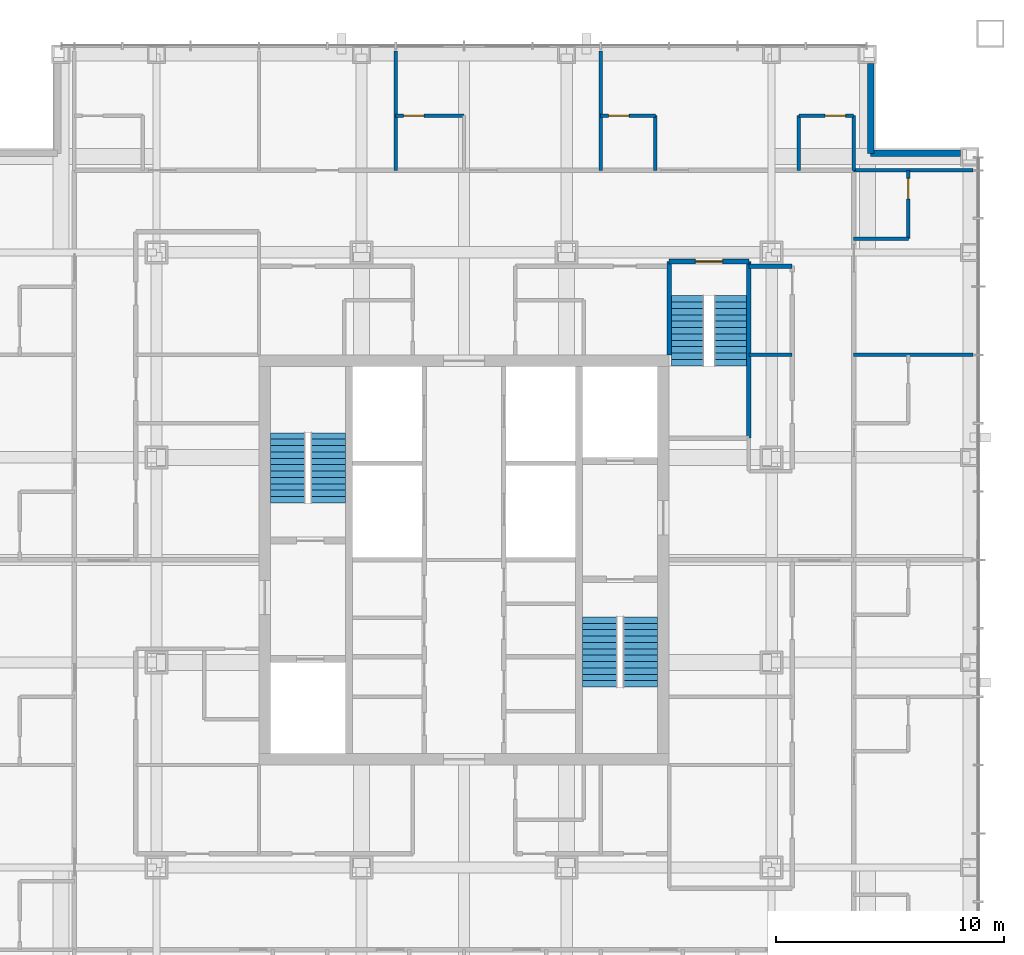
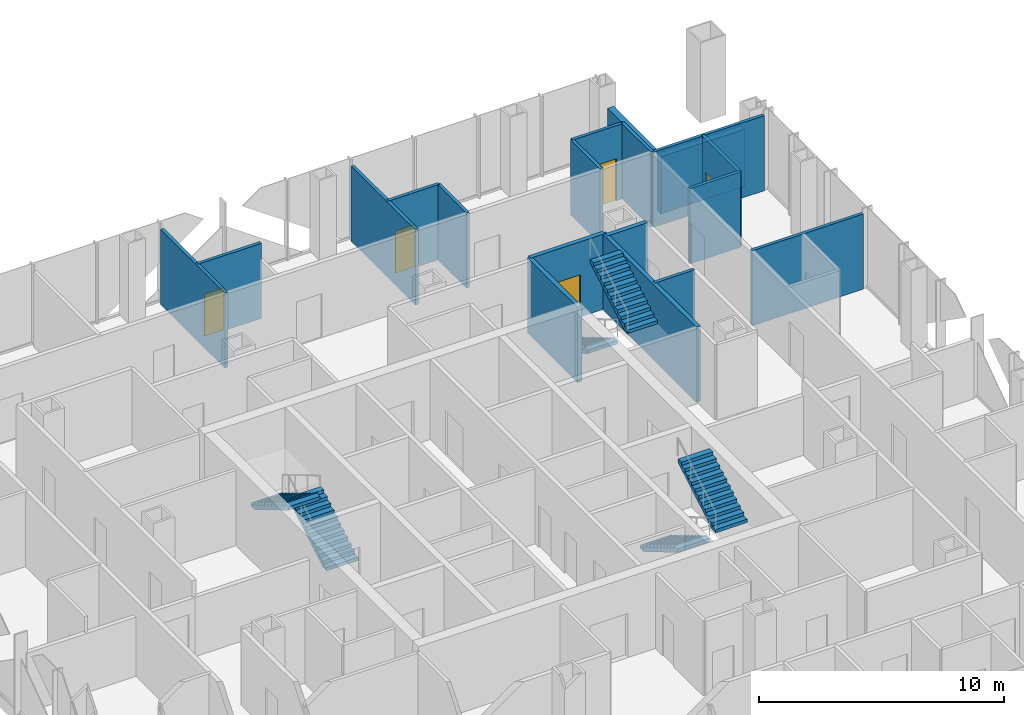
# One storey, part 16 of 17: 19 walls, 6 stair flights, 5 doors, 5 openings, 3 elements without a shape of their own.
"""IFC4 building model written with IfcOpenShell, lengths in metres."""

from ifc_helpers import new_model, si_unit, direction, frame, frame_2d, origin, place, context, subcontext, project, spatial, polyline, rectangle, outline, extrude, material, layer, layer_set, type_object, element, fill, aggregate, save


model = new_model("IFC4")

# Units and contexts
model_context = context("Model", 3, precision=1e-05, world=origin(), true_north=direction((0.0, 1.0)))
body_context = subcontext(model_context, "Body", "Model", "MODEL_VIEW")
ifc_project = project(units=[si_unit("LENGTHUNIT", "METRE"), si_unit("AREAUNIT", "SQUARE_METRE"), si_unit("VOLUMEUNIT", "CUBIC_METRE"), si_unit("PLANEANGLEUNIT", "RADIAN"), si_unit("MASSUNIT", "GRAM", prefix="KILO")], contexts=[model_context])

# Site, building, storey
site_placement = place(None, origin())
site = spatial("IfcSite", under=ifc_project, at=site_placement, CompositionType="ELEMENT")
building_placement = place(site_placement, origin())
building = spatial("IfcBuilding", under=site, at=building_placement, Name="Malebo Sky Hospital", CompositionType="ELEMENT")
storey_placement = place(building_placement, frame((0.0, 0.0, 189.0)))
storey = spatial("IfcBuildingStorey", under=building, at=storey_placement, Name="L45", CompositionType="ELEMENT", Elevation=189.0)

# Walls
ifc_material_1 = material(Name="Gypsum board on steel studs", Category="steel")
ifc_layer_1 = layer(ifc_material_1, 0.199951171875)
ifc_layer_set_1 = layer_set([ifc_layer_1], Name="CORRIDOR WALL 200")
wall_type_1 = type_object("IfcWallType", Name="CORRIDOR WALL 200", PredefinedType="PARTITIONING", material=ifc_layer_set_1)
wall_1_placement = place(storey_placement, frame((72.5, 74.89990234375, 0.0), z_axis=(0.0, 0.0, 1.0), x_axis=(1.0, 0.0, 0.0)))
element("IfcWall", 1, at=wall_1_placement, inside=storey, type_object=wall_type_1, Name="Corridor Wall 200 NCI2/2", PredefinedType="PARTITIONING", context=body_context, shape_type="SweptSolid", body=[
    extrude(rectangle(XDim=1.89990234375, YDim=0.199951171875, at=frame_2d((0.949951171875, 0.0))), origin(), (0.0, 0.0, 1.0), 3.75),
])
ifc_material_2 = material(Name="Anodised aluminium rainscreen on steel framing", Category="steel")
ifc_layer_2 = layer(ifc_material_2, 0.300048828125)
ifc_layer_set_2 = layer_set([ifc_layer_2], Name="NOTCH RAINSCREEN WALL 300")
wall_type_2 = type_object("IfcWallType", Name="NOTCH RAINSCREEN WALL 300", PredefinedType="ELEMENTEDWALL", material=ifc_layer_set_2)
for number, where, z_axis, x_axis, name in (
    (2, (77.85009765625, 83.800048828125, 0.0), (0.0, 0.0, 1.0), (0.0, -1.0, 0.0), "Notch rainscreen wall N1 L45"),
    (3, (77.85009765625, 79.85009765625, 0.0), (0.0, 0.0, 1.0), (1.0, 0.0, 0.0), "Notch rainscreen wall N2 L45"),
):
    element("IfcWall", number, at=place(storey_placement, frame(where, z_axis=z_axis, x_axis=x_axis)), inside=storey, type_object=wall_type_2, Name=name, PredefinedType="ELEMENTEDWALL", context=body_context, shape_type="SweptSolid", body=[
        extrude(rectangle(XDim=3.949951171875, YDim=0.300048828125, at=frame_2d((1.97509765625, 0.0))), origin(), (0.0, 0.0, 1.0), 2.85009765625),
    ])
ifc_layer_3 = layer(ifc_material_1, 0.14990234375)
ifc_layer_set_3 = layer_set([ifc_layer_3], Name="PARTITION 150")
wall_type_3 = type_object("IfcWallType", Name="PARTITION 150", PredefinedType="PARTITIONING", material=ifc_layer_set_3)
for number, where, z_axis, x_axis, name in (
    (4, (57.0, 79.10009765625, 0.0), (0.0, 0.0, 1.0), (0.0, 1.0, 0.0), "Partition 150 NP-3.0"),
    (5, (66.0, 79.10009765625, 0.0), (0.0, 0.0, 1.0), (0.0, 1.0, 0.0), "Partition 150 NP+6.0"),
):
    element("IfcWall", number, at=place(storey_placement, frame(where, z_axis=z_axis, x_axis=x_axis)), inside=storey, type_object=wall_type_3, Name=name, PredefinedType="PARTITIONING", context=body_context, shape_type="SweptSolid", body=[
        extrude(rectangle(XDim=5.25, YDim=0.14990234375, at=frame_2d((2.625, 0.0))), origin(), (0.0, 0.0, 1.0), 3.75),
    ])

# Wall, opening, door
wall_2_placement = place(storey_placement, frame((57.0, 81.5, 0.0), z_axis=(0.0, 0.0, 1.0), x_axis=(1.0, 0.0, 0.0)))
wall_2 = element("IfcWall", 6, at=wall_2_placement, inside=storey, type_object=wall_type_3, Name="Partition 150 NE2F", PredefinedType="PARTITIONING", context=body_context, shape_type="SweptSolid", body=[
    extrude(rectangle(XDim=3.0, YDim=0.14990234375, at=frame_2d((1.5, 0.0))), origin(), (0.0, 0.0, 1.0), 3.75),
])
opening_1_placement = place(wall_2_placement, frame((0.35009765625, 0.0, 0.0)))
opening_1 = element("IfcOpeningElement", 7, at=opening_1_placement, cuts=wall_2, Name="Opening D02", PredefinedType="OPENING", context=body_context, shape_type="SweptSolid", body=[
    extrude(rectangle(XDim=0.89990234375, YDim=2.10009765625, at=frame_2d((0.449951171875, 1.050048828125))), frame((0.0, 0.0849609375, 0.0), z_axis=(0.0, -1.0, 0.0), x_axis=(1.0, 0.0, 0.0)), (0.0, 0.0, 1.0), 0.169921875),
])
ifc_material_3 = material(Name="Hardwood-faced door leaf in steel frame", Category="steel")
door_type_1 = type_object("IfcDoorType", Name="EN-SUITE DOOR 900", OperationType="SINGLE_SWING_LEFT", PredefinedType="DOOR", material=ifc_material_3)
door_1_placement = place(opening_1_placement, origin())
door_1 = element("IfcDoor", 8, at=door_1_placement, inside=storey, type_object=door_type_1, Name="En-suite door", OperationType="SINGLE_SWING_LEFT", OverallHeight=2.10009765625, OverallWidth=0.89990234375, PredefinedType="DOOR", context=body_context, shape_type="SweptSolid", body=[
    extrude(rectangle(XDim=0.89990234375, YDim=2.10009765625, at=frame_2d((0.449951171875, 1.050048828125))), frame((0.0, 0.02490234375, 0.0), z_axis=(0.0, -1.0, 0.0), x_axis=(1.0, 0.0, 0.0)), (0.0, 0.0, 1.0), 0.050048828125),
])
fill(opening_1, door_1)

wall_3_placement = place(storey_placement, frame((66.0, 81.5, 0.0), z_axis=(0.0, 0.0, 1.0), x_axis=(1.0, 0.0, 0.0)))
wall_3 = element("IfcWall", 9, at=wall_3_placement, inside=storey, type_object=wall_type_3, Name="Partition 150 NE3F", PredefinedType="PARTITIONING", context=body_context, shape_type="SweptSolid", body=[
    extrude(rectangle(XDim=2.39990234375, YDim=0.14990234375, at=frame_2d((1.199951171875, 0.0))), origin(), (0.0, 0.0, 1.0), 3.75),
])
opening_2_placement = place(wall_3_placement, frame((0.35009765625, 0.0, 0.0)))
opening_2 = element("IfcOpeningElement", 10, at=opening_2_placement, cuts=wall_3, Name="Opening D02", PredefinedType="OPENING", context=body_context, shape_type="SweptSolid", body=[
    extrude(rectangle(XDim=0.89990234375, YDim=2.10009765625, at=frame_2d((0.449951171875, 1.050048828125))), frame((0.0, 0.0849609375, 0.0), z_axis=(0.0, -1.0, 0.0), x_axis=(1.0, 0.0, 0.0)), (0.0, 0.0, 1.0), 0.169921875),
])
door_2_placement = place(opening_2_placement, origin())
door_2 = element("IfcDoor", 11, at=door_2_placement, inside=storey, type_object=door_type_1, Name="En-suite door", OperationType="SINGLE_SWING_LEFT", OverallHeight=2.10009765625, OverallWidth=0.89990234375, PredefinedType="DOOR", context=body_context, shape_type="SweptSolid", body=[
    extrude(rectangle(XDim=0.89990234375, YDim=2.10009765625, at=frame_2d((0.449951171875, 1.050048828125))), frame((0.0, 0.02490234375, 0.0), z_axis=(0.0, -1.0, 0.0), x_axis=(1.0, 0.0, 0.0)), (0.0, 0.0, 1.0), 0.050048828125),
])
fill(opening_2, door_2)

# Wall
wall_4_placement = place(storey_placement, frame((68.39990234375, 79.10009765625, 0.0), z_axis=(0.0, 0.0, 1.0), x_axis=(0.0, 1.0, 0.0)))
element("IfcWall", 12, at=wall_4_placement, inside=storey, type_object=wall_type_3, Name="Partition 150 NE3S", PredefinedType="PARTITIONING", context=body_context, shape_type="SweptSolid", body=[
    extrude(rectangle(XDim=2.39990234375, YDim=0.14990234375, at=frame_2d((1.199951171875, 0.0))), origin(), (0.0, 0.0, 1.0), 3.75),
])

# Wall, opening, door
wall_5_placement = place(storey_placement, frame((74.699951171875, 81.5, 0.0), z_axis=(0.0, 0.0, 1.0), x_axis=(1.0, 0.0, 0.0)))
wall_5 = element("IfcWall", 13, at=wall_5_placement, inside=storey, type_object=wall_type_3, Name="Partition 150 NG3F", PredefinedType="PARTITIONING", context=body_context, shape_type="SweptSolid", body=[
    extrude(rectangle(XDim=2.400146484375, YDim=0.14990234375, at=frame_2d((1.2001953125, 0.0))), origin(), (0.0, 0.0, 1.0), 3.75),
])
opening_3_placement = place(wall_5_placement, frame((1.14990234375, 0.0, 0.0)))
opening_3 = element("IfcOpeningElement", 14, at=opening_3_placement, cuts=wall_5, Name="Opening D02", PredefinedType="OPENING", context=body_context, shape_type="SweptSolid", body=[
    extrude(rectangle(XDim=0.89990234375, YDim=2.10009765625, at=frame_2d((0.449951171875, 1.050048828125))), frame((0.0, 0.0849609375, 0.0), z_axis=(0.0, -1.0, 0.0), x_axis=(1.0, 0.0, 0.0)), (0.0, 0.0, 1.0), 0.169921875),
])
door_3_placement = place(opening_3_placement, origin())
door_3 = element("IfcDoor", 15, at=door_3_placement, inside=storey, type_object=door_type_1, Name="En-suite door", OperationType="SINGLE_SWING_RIGHT", OverallHeight=2.10009765625, OverallWidth=0.89990234375, PredefinedType="DOOR", context=body_context, shape_type="SweptSolid", body=[
    extrude(rectangle(XDim=0.89990234375, YDim=2.10009765625, at=frame_2d((0.449951171875, 1.050048828125))), frame((0.0, 0.02490234375, 0.0), z_axis=(0.0, -1.0, 0.0), x_axis=(1.0, 0.0, 0.0)), (0.0, 0.0, 1.0), 0.050048828125),
])
fill(opening_3, door_3)

# Walls
for number, where, z_axis, x_axis, name in (
    (16, (74.699951171875, 79.10009765625, 0.0), (0.0, 0.0, 1.0), (0.0, 1.0, 0.0), "Partition 150 NG3S"),
    (17, (77.10009765625, 79.10009765625, 0.0), (0.0, 0.0, 1.0), (0.0, 1.0, 0.0), "Partition 150 NEZ"),
):
    element("IfcWall", number, at=place(storey_placement, frame(where, z_axis=z_axis, x_axis=x_axis)), inside=storey, type_object=wall_type_3, Name=name, PredefinedType="PARTITIONING", context=body_context, shape_type="SweptSolid", body=[
        extrude(rectangle(XDim=2.39990234375, YDim=0.14990234375, at=frame_2d((1.199951171875, 0.0))), origin(), (0.0, 0.0, 1.0), 3.75),
    ])
for number, where, z_axis, x_axis, name in (
    (18, (77.10009765625, 71.0, 0.0), (0.0, 0.0, 1.0), (1.0, 0.0, 0.0), "Partition 150 EP-9.0"),
    (19, (77.10009765625, 79.10009765625, 0.0), (0.0, 0.0, 1.0), (1.0, 0.0, 0.0), "Partition 150 EP0"),
):
    element("IfcWall", number, at=place(storey_placement, frame(where, z_axis=z_axis, x_axis=x_axis)), inside=storey, type_object=wall_type_3, Name=name, PredefinedType="PARTITIONING", context=body_context, shape_type="SweptSolid", body=[
        extrude(rectangle(XDim=5.25, YDim=0.14990234375, at=frame_2d((2.625, 0.0))), origin(), (0.0, 0.0, 1.0), 3.75),
    ])

# Wall, opening, door
wall_6_placement = place(storey_placement, frame((79.5, 79.10009765625, 0.0), z_axis=(0.0, 0.0, 1.0), x_axis=(0.0, -1.0, 0.0)))
wall_6 = element("IfcWall", 20, at=wall_6_placement, inside=storey, type_object=wall_type_3, Name="Partition 150 EE0F", PredefinedType="PARTITIONING", context=body_context, shape_type="SweptSolid", body=[
    extrude(rectangle(XDim=3.0, YDim=0.14990234375, at=frame_2d((1.5, 0.0))), origin(), (0.0, 0.0, 1.0), 3.75),
])
opening_4_placement = place(wall_6_placement, frame((0.35009765625, 0.0, 0.0)))
opening_4 = element("IfcOpeningElement", 21, at=opening_4_placement, cuts=wall_6, Name="Opening D02", PredefinedType="OPENING", context=body_context, shape_type="SweptSolid", body=[
    extrude(rectangle(XDim=0.89990234375, YDim=2.10009765625, at=frame_2d((0.449951171875, 1.050048828125))), frame((0.0, 0.0849609375, 0.0), z_axis=(0.0, -1.0, 0.0), x_axis=(1.0, 0.0, 0.0)), (0.0, 0.0, 1.0), 0.169921875),
])
door_4_placement = place(opening_4_placement, origin())
door_4 = element("IfcDoor", 22, at=door_4_placement, inside=storey, type_object=door_type_1, Name="En-suite door", OperationType="SINGLE_SWING_LEFT", OverallHeight=2.10009765625, OverallWidth=0.89990234375, PredefinedType="DOOR", context=body_context, shape_type="SweptSolid", body=[
    extrude(rectangle(XDim=0.89990234375, YDim=2.10009765625, at=frame_2d((0.449951171875, 1.050048828125))), frame((0.0, 0.02490234375, 0.0), z_axis=(0.0, -1.0, 0.0), x_axis=(1.0, 0.0, 0.0)), (0.0, 0.0, 1.0), 0.050048828125),
])
fill(opening_4, door_4)

# Walls
wall_7_placement = place(storey_placement, frame((77.10009765625, 76.10009765625, 0.0), z_axis=(0.0, 0.0, 1.0), x_axis=(1.0, 0.0, 0.0)))
element("IfcWall", 23, at=wall_7_placement, inside=storey, type_object=wall_type_3, Name="Partition 150 EE0S", PredefinedType="PARTITIONING", context=body_context, shape_type="SweptSolid", body=[
    extrude(rectangle(XDim=2.39990234375, YDim=0.14990234375, at=frame_2d((1.199951171875, 0.0))), origin(), (0.0, 0.0, 1.0), 3.75),
])
wall_8_placement = place(storey_placement, frame((72.5, 71.0, 0.0), z_axis=(0.0, 0.0, 1.0), x_axis=(1.0, 0.0, 0.0)))
element("IfcWall", 24, at=wall_8_placement, inside=storey, type_object=wall_type_3, Name="Partition 150 ESP0", PredefinedType="PARTITIONING", context=body_context, shape_type="SweptSolid", body=[
    extrude(rectangle(XDim=1.89990234375, YDim=0.14990234375, at=frame_2d((0.949951171875, 0.0))), origin(), (0.0, 0.0, 1.0), 3.75),
])
ifc_material_4 = material(Name="Concrete C40/50", Category="concrete")
ifc_layer_4 = layer(ifc_material_4, 0.199951171875)
ifc_layer_set_4 = layer_set([ifc_layer_4], Name="STAIR ENCLOSURE WALL 200")
wall_type_4 = type_object("IfcWallType", Name="STAIR ENCLOSURE WALL 200", PredefinedType="SOLIDWALL", material=ifc_layer_set_4)
wall_9_placement = place(storey_placement, frame((69.0, 71.0, 0.0), z_axis=(0.0, 0.0, 1.0), x_axis=(0.0, 1.0, 0.0)))
element("IfcWall", 25, at=wall_9_placement, inside=storey, type_object=wall_type_4, Name="Stair Enclosure Wall 200 ST3W", PredefinedType="SOLIDWALL", context=body_context, shape_type="SweptSolid", body=[
    extrude(rectangle(XDim=4.10009765625, YDim=0.199951171875, at=frame_2d((2.050048828125, 0.0))), origin(), (0.0, 0.0, 1.0), 3.75),
])
wall_10_placement = place(storey_placement, frame((72.5, 67.35009765625, 0.0), z_axis=(0.0, 0.0, 1.0), x_axis=(0.0, 1.0, 0.0)))
element("IfcWall", 26, at=wall_10_placement, inside=storey, type_object=wall_type_4, Name="Stair Enclosure Wall 200 ST3E", PredefinedType="SOLIDWALL", context=body_context, shape_type="SweptSolid", body=[
    extrude(rectangle(XDim=7.75, YDim=0.199951171875, at=frame_2d((3.875, 0.0))), origin(), (0.0, 0.0, 1.0), 3.75),
])

# Wall, opening, door
wall_11_placement = place(storey_placement, frame((69.0, 75.10009765625, 0.0), z_axis=(0.0, 0.0, 1.0), x_axis=(1.0, 0.0, 0.0)))
wall_11 = element("IfcWall", 27, at=wall_11_placement, inside=storey, type_object=wall_type_4, Name="Stair Enclosure Wall 200 ST3N", PredefinedType="SOLIDWALL", context=body_context, shape_type="SweptSolid", body=[
    extrude(rectangle(XDim=3.5, YDim=0.199951171875, at=frame_2d((1.75, 0.0))), origin(), (0.0, 0.0, 1.0), 3.75),
])
opening_5_placement = place(wall_11_placement, frame((1.14990234375, 0.0, 0.0)))
opening_5 = element("IfcOpeningElement", 28, at=opening_5_placement, cuts=wall_11, Name="Opening D08", PredefinedType="OPENING", context=body_context, shape_type="SweptSolid", body=[
    extrude(rectangle(XDim=1.199951171875, YDim=2.10009765625, at=frame_2d((0.60009765625, 1.050048828125))), frame((0.0, 0.10986328125, 0.0), z_axis=(0.0, -1.0, 0.0), x_axis=(1.0, 0.0, 0.0)), (0.0, 0.0, 1.0), 0.219970703125),
])
door_type_2 = type_object("IfcDoorType", Name="STAIR DOOR 1200", OperationType="SINGLE_SWING_LEFT", PredefinedType="DOOR", material=ifc_material_3)
door_5_placement = place(opening_5_placement, origin())
door_5 = element("IfcDoor", 29, at=door_5_placement, inside=storey, type_object=door_type_2, Name="Stair S3 door", OperationType="SINGLE_SWING_LEFT", OverallHeight=2.10009765625, OverallWidth=1.199951171875, PredefinedType="DOOR", context=body_context, shape_type="SweptSolid", body=[
    extrude(rectangle(XDim=1.199951171875, YDim=2.10009765625, at=frame_2d((0.60009765625, 1.050048828125))), frame((0.0, 0.02490234375, 0.0), z_axis=(0.0, -1.0, 0.0), x_axis=(1.0, 0.0, 0.0)), (0.0, 0.0, 1.0), 0.050048828125),
])
fill(opening_5, door_5)

# Stair, stair flights
stair_type_1 = type_object("IfcStairType", Name="HALF-TURN STAIR 1400 R167", PredefinedType="HALF_TURN_STAIR", material=ifc_material_4)
stair_1_placement = place(storey_placement, origin())
stair_1 = element("IfcStair", 30, at=stair_1_placement, inside=storey, type_object=stair_type_1, Name="Stair S3 L45 type ST1B", PredefinedType="HALF_TURN_STAIR")
stair_flight_type_1 = type_object("IfcStairFlightType", Name="STAIR FLIGHT 1400 R167", PredefinedType="STRAIGHT", material=ifc_material_4)
stair_flight_1_placement = place(storey_placement, frame((69.800048828125, 73.60009765625, 0.0), z_axis=(0.0, 0.0, 1.0), x_axis=(0.0, -1.0, 0.0)))
stair_flight_1 = element("IfcStairFlight", 31, at=stair_flight_1_placement, type_object=stair_flight_type_1, Name="S3 flight 1 type SF1B", NumberOfRisers=12, NumberOfTreads=11, PredefinedType="STRAIGHT", RiserHeight=0.166666667, TreadLength=0.28, context=body_context, shape_type="SweptSolid", body=[
    extrude(outline(polyline([(0.0, 0.0), (0.0, 0.166748046875), (0.280029296875, 0.166748046875), (0.280029296875, 0.333251953125), (0.56005859375, 0.333251953125), (0.56005859375, 0.5), (0.840087890625, 0.5), (0.840087890625, 0.666748046875), (1.1201171875, 0.666748046875), (1.1201171875, 0.833251953125), (1.39990234375, 0.833251953125), (1.39990234375, 1.0), (1.679931640625, 1.0), (1.679931640625, 1.166748046875), (1.9599609375, 1.166748046875), (1.9599609375, 1.333251953125), (2.239990234375, 1.333251953125), (2.239990234375, 1.5), (2.52001953125, 1.5), (2.52001953125, 1.666748046875), (2.800048828125, 1.666748046875), (2.800048828125, 1.833251953125), (3.080078125, 1.833251953125), (3.080078125, 2.0), (3.080078125, 1.658935546875), (0.29296875, 0.0), (0.0, 0.0)])), frame((0.0, 0.699951171875, 0.0), z_axis=(0.0, -1.0, 0.0), x_axis=(1.0, 0.0, 0.0)), (0.0, 0.0, 1.0), 1.39990234375),
])
stair_flight_2_placement = place(storey_placement, frame((71.699951171875, 70.52001953125, 2.0), z_axis=(0.0, 0.0, 1.0), x_axis=(0.0, 1.0, 0.0)))
stair_flight_2 = element("IfcStairFlight", 32, at=stair_flight_2_placement, type_object=stair_flight_type_1, Name="S3 flight 2 type SF1B", NumberOfRisers=12, NumberOfTreads=11, PredefinedType="STRAIGHT", RiserHeight=0.166666667, TreadLength=0.28, context=body_context, shape_type="SweptSolid", body=[
    extrude(outline(polyline([(0.0, 0.0), (0.0, 0.166748046875), (0.280029296875, 0.166748046875), (0.280029296875, 0.333251953125), (0.56005859375, 0.333251953125), (0.56005859375, 0.5), (0.840087890625, 0.5), (0.840087890625, 0.666748046875), (1.1201171875, 0.666748046875), (1.1201171875, 0.833251953125), (1.39990234375, 0.833251953125), (1.39990234375, 1.0), (1.679931640625, 1.0), (1.679931640625, 1.166748046875), (1.9599609375, 1.166748046875), (1.9599609375, 1.333251953125), (2.239990234375, 1.333251953125), (2.239990234375, 1.5), (2.52001953125, 1.5), (2.52001953125, 1.666748046875), (2.800048828125, 1.666748046875), (2.800048828125, 1.833251953125), (3.080078125, 1.833251953125), (3.080078125, 2.0), (3.080078125, 1.658935546875), (0.29296875, 0.0), (0.0, 0.0)])), frame((0.0, 0.699951171875, 0.0), z_axis=(0.0, -1.0, 0.0), x_axis=(1.0, 0.0, 0.0)), (0.0, 0.0, 1.0), 1.39990234375),
])
aggregate(stair_1, [stair_flight_1, stair_flight_2])

stair_type_2 = type_object("IfcStairType", Name="HALF-TURN STAIR 1500 R167", PredefinedType="HALF_TURN_STAIR", material=ifc_material_4)
stair_2_placement = place(storey_placement, origin())
stair_2 = element("IfcStair", 33, at=stair_2_placement, inside=storey, type_object=stair_type_2, Name="Stair S1 L45 type ST1", PredefinedType="HALF_TURN_STAIR")
stair_flight_type_2 = type_object("IfcStairFlightType", Name="STAIR FLIGHT 1500 R167", PredefinedType="STRAIGHT", material=ifc_material_4)
stair_flight_3_placement = place(storey_placement, frame((54.050048828125, 64.5, 0.0), z_axis=(0.0, 0.0, 1.0), x_axis=(0.0, 1.0, 0.0)))
stair_flight_3 = element("IfcStairFlight", 34, at=stair_flight_3_placement, type_object=stair_flight_type_2, Name="S1 flight 1 type SF1", NumberOfRisers=12, NumberOfTreads=11, PredefinedType="STRAIGHT", RiserHeight=0.166666667, TreadLength=0.28, context=body_context, shape_type="SweptSolid", body=[
    extrude(outline(polyline([(0.0, 0.0), (0.0, 0.166748046875), (0.280029296875, 0.166748046875), (0.280029296875, 0.333251953125), (0.56005859375, 0.333251953125), (0.56005859375, 0.5), (0.840087890625, 0.5), (0.840087890625, 0.666748046875), (1.1201171875, 0.666748046875), (1.1201171875, 0.833251953125), (1.39990234375, 0.833251953125), (1.39990234375, 1.0), (1.679931640625, 1.0), (1.679931640625, 1.166748046875), (1.9599609375, 1.166748046875), (1.9599609375, 1.333251953125), (2.239990234375, 1.333251953125), (2.239990234375, 1.5), (2.52001953125, 1.5), (2.52001953125, 1.666748046875), (2.800048828125, 1.666748046875), (2.800048828125, 1.833251953125), (3.080078125, 1.833251953125), (3.080078125, 2.0), (3.080078125, 1.658935546875), (0.29296875, 0.0), (0.0, 0.0)])), frame((0.0, 0.75, 0.0), z_axis=(0.0, -1.0, 0.0), x_axis=(1.0, 0.0, 0.0)), (0.0, 0.0, 1.0), 1.5),
])
stair_flight_4_placement = place(storey_placement, frame((52.25, 67.580078125, 2.0), z_axis=(0.0, 0.0, 1.0), x_axis=(0.0, -1.0, 0.0)))
stair_flight_4 = element("IfcStairFlight", 35, at=stair_flight_4_placement, type_object=stair_flight_type_2, Name="S1 flight 2 type SF1", NumberOfRisers=12, NumberOfTreads=11, PredefinedType="STRAIGHT", RiserHeight=0.166666667, TreadLength=0.28, context=body_context, shape_type="SweptSolid", body=[
    extrude(outline(polyline([(0.0, 0.0), (0.0, 0.166748046875), (0.280029296875, 0.166748046875), (0.280029296875, 0.333251953125), (0.56005859375, 0.333251953125), (0.56005859375, 0.5), (0.840087890625, 0.5), (0.840087890625, 0.666748046875), (1.1201171875, 0.666748046875), (1.1201171875, 0.833251953125), (1.39990234375, 0.833251953125), (1.39990234375, 1.0), (1.679931640625, 1.0), (1.679931640625, 1.166748046875), (1.9599609375, 1.166748046875), (1.9599609375, 1.333251953125), (2.239990234375, 1.333251953125), (2.239990234375, 1.5), (2.52001953125, 1.5), (2.52001953125, 1.666748046875), (2.800048828125, 1.666748046875), (2.800048828125, 1.833251953125), (3.080078125, 1.833251953125), (3.080078125, 2.0), (3.080078125, 1.658935546875), (0.29296875, 0.0), (0.0, 0.0)])), frame((0.0, 0.75, 0.0), z_axis=(0.0, -1.0, 0.0), x_axis=(1.0, 0.0, 0.0)), (0.0, 0.0, 1.0), 1.5),
])
aggregate(stair_2, [stair_flight_3, stair_flight_4])

stair_3_placement = place(storey_placement, origin())
stair_3 = element("IfcStair", 36, at=stair_3_placement, inside=storey, type_object=stair_type_2, Name="Stair S2 L45 type ST1", PredefinedType="HALF_TURN_STAIR")
stair_flight_5_placement = place(storey_placement, frame((65.949951171875, 59.5, 0.0), z_axis=(0.0, 0.0, 1.0), x_axis=(0.0, -1.0, 0.0)))
stair_flight_5 = element("IfcStairFlight", 37, at=stair_flight_5_placement, type_object=stair_flight_type_2, Name="S2 flight 1 type SF1", NumberOfRisers=12, NumberOfTreads=11, PredefinedType="STRAIGHT", RiserHeight=0.166666667, TreadLength=0.28, context=body_context, shape_type="SweptSolid", body=[
    extrude(outline(polyline([(0.0, 0.0), (0.0, 0.166748046875), (0.280029296875, 0.166748046875), (0.280029296875, 0.333251953125), (0.56005859375, 0.333251953125), (0.56005859375, 0.5), (0.840087890625, 0.5), (0.840087890625, 0.666748046875), (1.1201171875, 0.666748046875), (1.1201171875, 0.833251953125), (1.39990234375, 0.833251953125), (1.39990234375, 1.0), (1.679931640625, 1.0), (1.679931640625, 1.166748046875), (1.9599609375, 1.166748046875), (1.9599609375, 1.333251953125), (2.239990234375, 1.333251953125), (2.239990234375, 1.5), (2.52001953125, 1.5), (2.52001953125, 1.666748046875), (2.800048828125, 1.666748046875), (2.800048828125, 1.833251953125), (3.080078125, 1.833251953125), (3.080078125, 2.0), (3.080078125, 1.658935546875), (0.29296875, 0.0), (0.0, 0.0)])), frame((0.0, 0.75, 0.0), z_axis=(0.0, -1.0, 0.0), x_axis=(1.0, 0.0, 0.0)), (0.0, 0.0, 1.0), 1.5),
])
stair_flight_6_placement = place(storey_placement, frame((67.75, 56.419921875, 2.0), z_axis=(0.0, 0.0, 1.0), x_axis=(0.0, 1.0, 0.0)))
stair_flight_6 = element("IfcStairFlight", 38, at=stair_flight_6_placement, type_object=stair_flight_type_2, Name="S2 flight 2 type SF1", NumberOfRisers=12, NumberOfTreads=11, PredefinedType="STRAIGHT", RiserHeight=0.166666667, TreadLength=0.28, context=body_context, shape_type="SweptSolid", body=[
    extrude(outline(polyline([(0.0, 0.0), (0.0, 0.166748046875), (0.280029296875, 0.166748046875), (0.280029296875, 0.333251953125), (0.56005859375, 0.333251953125), (0.56005859375, 0.5), (0.840087890625, 0.5), (0.840087890625, 0.666748046875), (1.1201171875, 0.666748046875), (1.1201171875, 0.833251953125), (1.39990234375, 0.833251953125), (1.39990234375, 1.0), (1.679931640625, 1.0), (1.679931640625, 1.166748046875), (1.9599609375, 1.166748046875), (1.9599609375, 1.333251953125), (2.239990234375, 1.333251953125), (2.239990234375, 1.5), (2.52001953125, 1.5), (2.52001953125, 1.666748046875), (2.800048828125, 1.666748046875), (2.800048828125, 1.833251953125), (3.080078125, 1.833251953125), (3.080078125, 2.0), (3.080078125, 1.658935546875), (0.29296875, 0.0), (0.0, 0.0)])), frame((0.0, 0.75, 0.0), z_axis=(0.0, -1.0, 0.0), x_axis=(1.0, 0.0, 0.0)), (0.0, 0.0, 1.0), 1.5),
])
aggregate(stair_3, [stair_flight_5, stair_flight_6])

save(model, "model.ifc")
